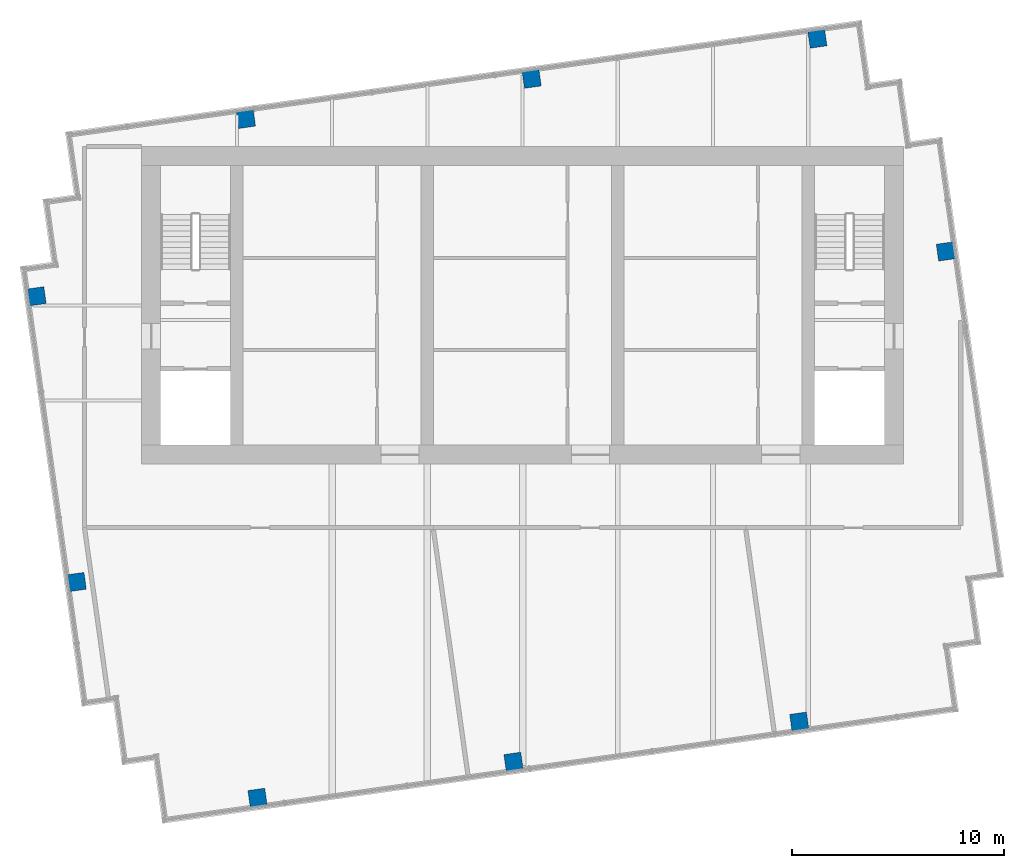
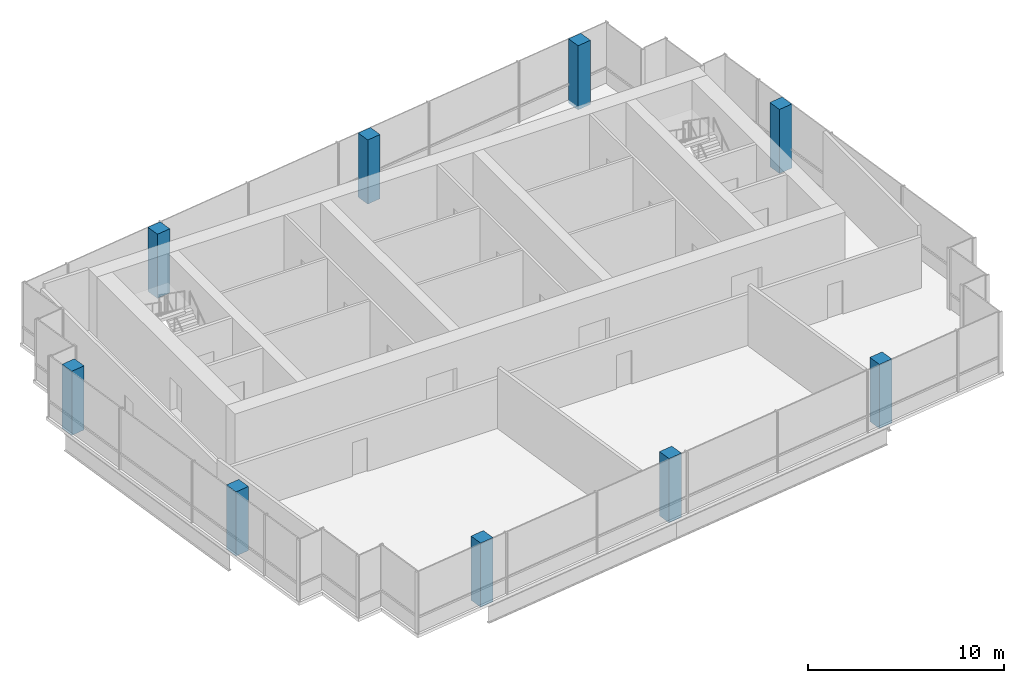
# One storey, part 1 of 9: 9 columns.
"""IFC4 building model written with IfcOpenShell, lengths in metres."""

from ifc_helpers import new_model, si_unit, direction, frame, origin, origin_2d, place, context, subcontext, project, spatial, rectangle, extrude, material, material_profile, profile_set, type_object, element, save


model = new_model("IFC4")

# Units and contexts
model_context = context("Model", 3, precision=1e-05, world=origin(), true_north=direction((0.0, 1.0)))
body_context = subcontext(model_context, "Body", "Model", "MODEL_VIEW")
ifc_project = project(units=[si_unit("LENGTHUNIT", "METRE"), si_unit("AREAUNIT", "SQUARE_METRE"), si_unit("VOLUMEUNIT", "CUBIC_METRE"), si_unit("PLANEANGLEUNIT", "RADIAN"), si_unit("MASSUNIT", "GRAM", prefix="KILO")], contexts=[model_context])

# Site, building, storey
site_placement = place(None, origin())
site = spatial("IfcSite", under=ifc_project, at=site_placement, CompositionType="ELEMENT")
building_placement = place(site_placement, origin())
building = spatial("IfcBuilding", under=site, at=building_placement, Name="Rattan Terrace Tower", CompositionType="ELEMENT")
storey_placement = place(building_placement, frame((0.0, 0.0, 296.300048828125)))
storey = spatial("IfcBuildingStorey", under=building, at=storey_placement, Name="C02", CompositionType="ELEMENT", Elevation=296.300048828125)

# Columns
ifc_material = material(Name="Concrete C40/50", Category="concrete")
ifc_material_profile = material_profile(ifc_material, rectangle(XDim=0.800048828125, YDim=0.800048828125, at=origin_2d()), Name="CFT 800x800")
ifc_profile_set = profile_set([ifc_material_profile], Name="Concrete C40/50")
column_type = type_object("IfcColumnType", Name="Frame lantern column CFT 800x800", PredefinedType="COLUMN", material=ifc_profile_set)
for number, where, z_axis, x_axis, name in (
    (1, (-12.52490234375, -23.26611328125, -0.199951171875), (0.0, 0.0, 1.0), (0.990265639562, 0.139190384377, 0.0), "exo-C02-001"),
    (2, (-0.428955078125, -21.56591796875, -0.199951171875), (0.0, 0.0, 1.0), (0.990265639562, 0.139190384377, 0.0), "exo-C02-002"),
    (3, (13.071044921875, -19.6689453125, -0.199951171875), (0.0, 0.0, 1.0), (0.990265639562, 0.139190384377, 0.0), "exo-C02-003"),
    (4, (-21.06591796875, -13.071044921875, -0.199951171875), (0.0, 0.0, 1.0), (-0.139190384377, 0.990265639562, 0.0), "exo-C02-004"),
    (5, (-22.962890625, 0.428955078125, -0.199951171875), (0.0, 0.0, 1.0), (-0.139190384377, 0.990265639562, 0.0), "exo-C02-005"),
    (6, (19.9990234375, 2.5458984375, -0.199951171875), (0.0, 0.0, 1.0), (-0.139190384377, 0.990265639562, 0.0), "exo-C02-006"),
    (7, (-13.071044921875, 8.80908203125, -0.199951171875), (0.0, 0.0, 1.0), (0.990265639562, 0.139190384377, 0.0), "exo-C02-007"),
    (8, (0.428955078125, 10.70703125, -0.199951171875), (0.0, 0.0, 1.0), (0.990265639562, 0.139190384377, 0.0), "exo-C02-008"),
    (9, (13.928955078125, 12.60400390625, -0.199951171875), (0.0, 0.0, 1.0), (0.990265639562, 0.139190384377, 0.0), "exo-C02-009"),
):
    element("IfcColumn", number, at=place(storey_placement, frame(where, z_axis=z_axis, x_axis=x_axis)), inside=storey, type_object=column_type, Name=name, PredefinedType="COLUMN", context=body_context, shape_type="SweptSolid", body=[
        extrude(rectangle(XDim=0.800048828125, YDim=0.800048828125, at=origin_2d()), origin(), (0.0, 0.0, 1.0), 4.0),
    ])

save(model, "model.ifc")
